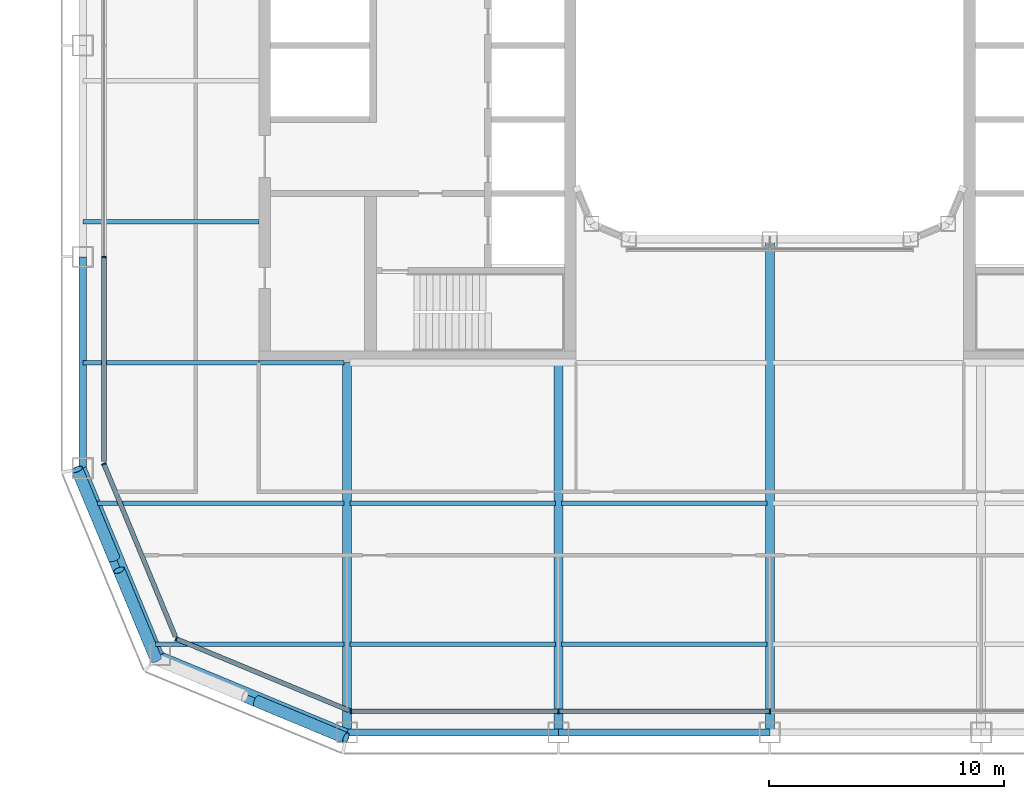
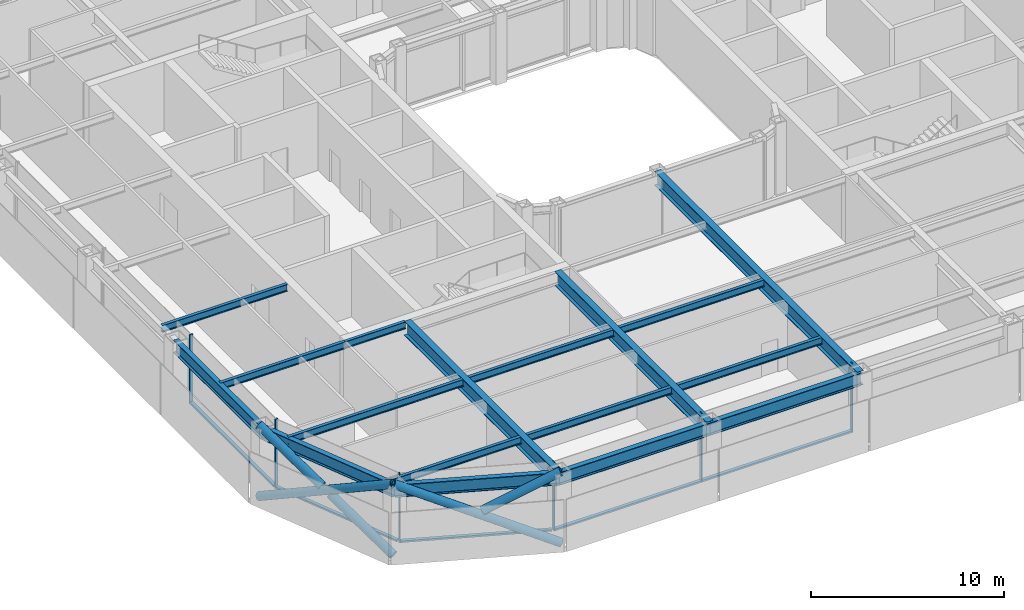
# One storey, part 2 of 23: 17 beams, 16 members, 4 elements without a shape of their own.
"""IFC4 building model written with IfcOpenShell, lengths in metres."""

from ifc_helpers import new_model, si_unit, direction, frame, origin, origin_2d, place, context, subcontext, project, spatial, rectangle, hollow_circle, i_section, extrude, material, layer, layer_set, material_profile, profile_set, type_object, element, aggregate, save


model = new_model("IFC4")

# Units and contexts
model_context = context("Model", 3, precision=1e-05, world=origin(), true_north=direction((0.0, 1.0)))
body_context = subcontext(model_context, "Body", "Model", "MODEL_VIEW")
ifc_project = project(units=[si_unit("LENGTHUNIT", "METRE"), si_unit("AREAUNIT", "SQUARE_METRE"), si_unit("VOLUMEUNIT", "CUBIC_METRE"), si_unit("PLANEANGLEUNIT", "RADIAN"), si_unit("MASSUNIT", "GRAM", prefix="KILO")], contexts=[model_context])

# Site, building, storey
site_placement = place(None, origin())
site = spatial("IfcSite", under=ifc_project, at=site_placement, CompositionType="ELEMENT")
building_placement = place(site_placement, origin())
building = spatial("IfcBuilding", under=site, at=building_placement, Name="Siwar Civic Tower", CompositionType="ELEMENT")
storey_placement = place(building_placement, frame((0.0, 0.0, 172.199951171875)))
storey = spatial("IfcBuildingStorey", under=building, at=storey_placement, Name="L37", CompositionType="ELEMENT", Elevation=172.199951171875)

# Curtain wall, members
ifc_material_1 = material(Name="Aluminium and glass", Category="aluminium")
ifc_layer_1 = layer(ifc_material_1, 0.199951171875)
ifc_layer_set_1 = layer_set([ifc_layer_1], Name="Aluminium and glass")
curtain_wall_type_1 = type_object("IfcCurtainWallType", Name="ENV-CW-B", PredefinedType="NOTDEFINED", material=ifc_layer_set_1)
curtain_wall_1_placement = place(storey_placement, origin())
curtain_wall_1 = element("IfcCurtainWall", 1, at=curtain_wall_1_placement, inside=storey, type_object=curtain_wall_type_1, Name="Curtain wall B S", PredefinedType="NOTDEFINED")
ifc_material_2 = material(Name="Aluminium 6063-T6", Category="aluminium")
ifc_material_profile_1 = material_profile(ifc_material_2, rectangle(XDim=0.199951171875, YDim=0.06494140625, at=origin_2d()), Name="AL 200x65")
ifc_profile_set_1 = profile_set([ifc_material_profile_1], Name="Aluminium 6063-T6")
member_type_1 = type_object("IfcMemberType", Name="ENV-MULLION-B", PredefinedType="MULLION", material=ifc_profile_set_1)
member_1_placement = place(storey_placement, frame((-17.821044921875, -28.35009765625, 0.0), z_axis=(0.0, 0.0, 1.0), x_axis=(0.0, 1.0, 0.0)))
member_1 = element("IfcMember", 2, at=member_1_placement, type_object=member_type_1, Name="Mullion B S 1", PredefinedType="MULLION", context=body_context, shape_type="SweptSolid", body=[
    extrude(rectangle(XDim=0.199951171875, YDim=0.06494140625, at=origin_2d()), origin(), (0.0, 0.0, 1.0), 4.35009765625),
])
member_2_placement = place(storey_placement, frame((-9.0, -28.35009765625, 0.0), z_axis=(0.0, 0.0, 1.0), x_axis=(0.0, 1.0, 0.0)))
member_2 = element("IfcMember", 3, at=member_2_placement, type_object=member_type_1, Name="Mullion B S 2", PredefinedType="MULLION", context=body_context, shape_type="SweptSolid", body=[
    extrude(rectangle(XDim=0.199951171875, YDim=0.06494140625, at=origin_2d()), origin(), (0.0, 0.0, 1.0), 4.35009765625),
])
member_3_placement = place(storey_placement, frame((0.0, -28.35009765625, 0.0), z_axis=(0.0, 0.0, 1.0), x_axis=(0.0, 1.0, 0.0)))
member_3 = element("IfcMember", 4, at=member_3_placement, type_object=member_type_1, Name="Mullion B S 3", PredefinedType="MULLION", context=body_context, shape_type="SweptSolid", body=[
    extrude(rectangle(XDim=0.199951171875, YDim=0.06494140625, at=origin_2d()), origin(), (0.0, 0.0, 1.0), 4.35009765625),
])

# Curtain wall, member
curtain_wall_2_placement = place(storey_placement, origin())
curtain_wall_2 = element("IfcCurtainWall", 5, at=curtain_wall_2_placement, inside=storey, type_object=curtain_wall_type_1, Name="Curtain wall B W", PredefinedType="NOTDEFINED")
member_4_placement = place(storey_placement, frame((-28.35009765625, -9.0, 0.0), z_axis=(0.0, 0.0, 1.0), x_axis=(1.0, 0.0, 0.0)))
member_4 = element("IfcMember", 6, at=member_4_placement, type_object=member_type_1, Name="Mullion B W 4", PredefinedType="MULLION", context=body_context, shape_type="SweptSolid", body=[
    extrude(rectangle(XDim=0.199951171875, YDim=0.06494140625, at=origin_2d()), origin(), (0.0, 0.0, 1.0), 4.35009765625),
])

ifc_material_3 = material(Name="Aluminium clad insulated panel", Category="aluminium")
ifc_layer_2 = layer(ifc_material_3, 0.199951171875)
ifc_layer_set_2 = layer_set([ifc_layer_2], Name="Aluminium clad insulated panel")
curtain_wall_type_2 = type_object("IfcCurtainWallType", Name="ENV-CW-BX", PredefinedType="NOTDEFINED", material=ifc_layer_set_2)
curtain_wall_3_placement = place(storey_placement, origin())
curtain_wall_3 = element("IfcCurtainWall", 7, at=curtain_wall_3_placement, inside=storey, type_object=curtain_wall_type_2, Name="Curtain wall B SW1", PredefinedType="NOTDEFINED")
member_5_placement = place(storey_placement, frame((-28.35009765625, -17.821044921875, 0.0), z_axis=(0.0, 0.0, 1.0), x_axis=(0.923879532511, 0.382683432365, 0.0)))
member_5 = element("IfcMember", 8, at=member_5_placement, type_object=member_type_1, Name="Mullion B SW1 1", PredefinedType="MULLION", context=body_context, shape_type="SweptSolid", body=[
    extrude(rectangle(XDim=0.199951171875, YDim=0.06494140625, at=origin_2d()), origin(), (0.0, 0.0, 1.0), 4.35009765625),
])

curtain_wall_4_placement = place(storey_placement, origin())
curtain_wall_4 = element("IfcCurtainWall", 9, at=curtain_wall_4_placement, inside=storey, type_object=curtain_wall_type_2, Name="Curtain wall B SW2", PredefinedType="NOTDEFINED")
member_6_placement = place(storey_placement, frame((-25.26611328125, -25.26611328125, 0.0), z_axis=(0.0, 0.0, 1.0), x_axis=(0.382683432365, 0.923879532511, 0.0)))
member_6 = element("IfcMember", 10, at=member_6_placement, type_object=member_type_1, Name="Mullion B SW2 1", PredefinedType="MULLION", context=body_context, shape_type="SweptSolid", body=[
    extrude(rectangle(XDim=0.199951171875, YDim=0.06494140625, at=origin_2d()), origin(), (0.0, 0.0, 1.0), 4.35009765625),
])

# Member
ifc_material_4 = material(Name="Aluminium 6063-T6", Category="aluminium")
ifc_material_profile_2 = material_profile(ifc_material_4, rectangle(XDim=0.199951171875, YDim=0.110107421875, at=origin_2d()), Name="AL 200x110")
ifc_profile_set_2 = profile_set([ifc_material_profile_2], Name="Aluminium 6063-T6")
member_type_2 = type_object("IfcMemberType", Name="ENV-TRANSOM-B", PredefinedType="USERDEFINED", material=ifc_profile_set_2)
member_7_placement = place(storey_placement, frame((-17.78857421875, -28.35009765625, 0.054931640625), z_axis=(1.0, 0.0, 0.0), x_axis=(0.0, 1.0, 0.0)))
member_7 = element("IfcMember", 11, at=member_7_placement, type_object=member_type_2, Name="Transom B S 1", ObjectType="TRANSOM", PredefinedType="USERDEFINED", context=body_context, shape_type="SweptSolid", body=[
    extrude(rectangle(XDim=0.199951171875, YDim=0.110107421875, at=origin_2d()), origin(), (0.0, 0.0, 1.0), 8.756103515625),
])

member_8_placement = place(storey_placement, frame((-8.967529296875, -28.35009765625, 0.054931640625), z_axis=(1.0, 0.0, 0.0), x_axis=(0.0, 1.0, 0.0)))
member_8 = element("IfcMember", 12, at=member_8_placement, type_object=member_type_2, Name="Transom B S 2", ObjectType="TRANSOM", PredefinedType="USERDEFINED", context=body_context, shape_type="SweptSolid", body=[
    extrude(rectangle(XDim=0.199951171875, YDim=0.110107421875, at=origin_2d()), origin(), (0.0, 0.0, 1.0), 8.93505859375),
])

aggregate(curtain_wall_1, [member_1, member_2, member_3, member_7, member_8])

member_9_placement = place(storey_placement, frame((-28.35009765625, -9.032470703125, 0.054931640625), z_axis=(0.0, -1.0, 0.0), x_axis=(1.0, 0.0, 0.0)))
member_9 = element("IfcMember", 13, at=member_9_placement, type_object=member_type_2, Name="Transom B W 4", ObjectType="TRANSOM", PredefinedType="USERDEFINED", context=body_context, shape_type="SweptSolid", body=[
    extrude(rectangle(XDim=0.199951171875, YDim=0.110107421875, at=origin_2d()), origin(), (0.0, 0.0, 1.0), 8.6748046875),
])

aggregate(curtain_wall_2, [member_4, member_9])

member_10_placement = place(storey_placement, frame((-28.337646484375, -17.85107421875, 0.054931640625), z_axis=(0.382699695651, -0.92387279587, 0.0), x_axis=(0.92387279587, 0.382699695651, 0.0)))
member_10 = element("IfcMember", 14, at=member_10_placement, type_object=member_type_2, Name="Transom B SW1 1", ObjectType="TRANSOM", PredefinedType="USERDEFINED", context=body_context, shape_type="SweptSolid", body=[
    extrude(rectangle(XDim=0.199951171875, YDim=0.110107421875, at=origin_2d()), origin(), (0.0, 0.0, 1.0), 7.912353515625),
])

aggregate(curtain_wall_3, [member_5, member_10])

member_11_placement = place(storey_placement, frame((-25.236083984375, -25.278564453125, 0.054931640625), z_axis=(0.923883705044, -0.382673358825, 0.0), x_axis=(0.382673358825, 0.923883705044, 0.0)))
member_11 = element("IfcMember", 15, at=member_11_placement, type_object=member_type_2, Name="Transom B SW2 1", ObjectType="TRANSOM", PredefinedType="USERDEFINED", context=body_context, shape_type="SweptSolid", body=[
    extrude(rectangle(XDim=0.199951171875, YDim=0.110107421875, at=origin_2d()), origin(), (0.0, 0.0, 1.0), 7.912353515625),
])

aggregate(curtain_wall_4, [member_6, member_11])

# Members
ifc_material_5 = material(Name="Steel S355", Category="steel")
ifc_material_profile_3 = material_profile(ifc_material_5, hollow_circle(Radius=0.25390625, WallThickness=0.02490234375, at=origin_2d()), Name="CHS508x25")
ifc_profile_set_3 = profile_set([ifc_material_profile_3], Name="Steel S355")
member_type_3 = type_object("IfcMemberType", Name="STR-BR-CHS508x25", PredefinedType="BRACE", material=ifc_profile_set_3)
member_12_placement = place(storey_placement, frame((-18.048828125, -29.4951171875, 0.0), z_axis=(-0.821142553604, 0.341671493852, 0.457149315816), x_axis=(-0.384163874976, -0.923264922524, 0.0)))
element("IfcMember", 16, at=member_12_placement, inside=storey, type_object=member_type_3, Name="L37/brc/BSW1-16-0-1", PredefinedType="BRACE", context=body_context, shape_type="SweptSolid", body=[
    extrude(hollow_circle(Radius=0.25390625, WallThickness=0.02490234375, at=origin_2d()), origin(), (0.0, 0.0, 1.0), 9.843505859375),
])
member_13_placement = place(storey_placement, frame((-21.837890625, -27.91845703125, 2.390625), z_axis=(0.821145902409, -0.34168558233, 0.457132770413), x_axis=(0.384176042158, 0.923259859753, 0.0)))
element("IfcMember", 17, at=member_13_placement, inside=storey, type_object=member_type_3, Name="L37/brc/BSW1-16-0-3", PredefinedType="BRACE", context=body_context, shape_type="SweptSolid", body=[
    extrude(hollow_circle(Radius=0.25390625, WallThickness=0.02490234375, at=origin_2d()), origin(), (0.0, 0.0, 1.0), 4.6142578125),
])
member_14_placement = place(storey_placement, frame((-29.4951171875, -18.048828125, 0.0), z_axis=(0.341671493852, -0.821142553604, 0.457149315816), x_axis=(0.923264922524, 0.384163874976, 0.0)))
element("IfcMember", 18, at=member_14_placement, inside=storey, type_object=member_type_3, Name="L37/brc/BSW1-16-0-0", PredefinedType="BRACE", context=body_context, shape_type="SweptSolid", body=[
    extrude(hollow_circle(Radius=0.25390625, WallThickness=0.02490234375, at=origin_2d()), origin(), (0.0, 0.0, 1.0), 9.843505859375),
])
member_15_placement = place(storey_placement, frame((-26.1318359375, -26.1318359375, 0.0), z_axis=(-0.341662474736, 0.821143275065, 0.457154760636), x_axis=(-0.923268638995, -0.384154943021, 0.0)))
element("IfcMember", 19, at=member_15_placement, inside=storey, type_object=member_type_3, Name="L37/brc/BSW1-16-0-4", PredefinedType="BRACE", context=body_context, shape_type="SweptSolid", body=[
    extrude(hollow_circle(Radius=0.25390625, WallThickness=0.02490234375, at=origin_2d()), origin(), (0.0, 0.0, 1.0), 4.61474609375),
])
member_16_placement = place(storey_placement, frame((-27.91845703125, -21.837890625, 2.390625), z_axis=(-0.34168558233, 0.821145902409, 0.457132770413), x_axis=(-0.923259859753, -0.384176042158, 0.0)))
element("IfcMember", 20, at=member_16_placement, inside=storey, type_object=member_type_3, Name="L37/brc/BSW1-16-0-5", PredefinedType="BRACE", context=body_context, shape_type="SweptSolid", body=[
    extrude(hollow_circle(Radius=0.25390625, WallThickness=0.02490234375, at=origin_2d()), origin(), (0.0, 0.0, 1.0), 4.6142578125),
])

# Beams
ifc_material_6 = material(Name="Steel S355", Category="steel")
ifc_material_profile_4 = material_profile(ifc_material_6, i_section(OverallWidth=0.18994140625, OverallDepth=0.449951171875, WebThickness=0.009521484375, FlangeThickness=0.0146484375, FilletRadius=0.02099609375, at=origin_2d()), Name="IPE450")
ifc_profile_set_4 = profile_set([ifc_material_profile_4], Name="Steel S355")
beam_type_1 = type_object("IfcBeamType", Name="STR-FB-IPE450", PredefinedType="JOIST", material=ifc_profile_set_4)
beam_1_placement = place(storey_placement, frame((-26.143310546875, -25.5, 4.125), z_axis=(1.0, 0.0, 0.0), x_axis=(0.0, 1.0, 0.0)))
element("IfcBeam", 21, at=beam_1_placement, inside=storey, type_object=beam_type_1, Name="L37/bm/F001", PredefinedType="JOIST", context=body_context, shape_type="SweptSolid", body=[
    extrude(i_section(OverallWidth=0.18994140625, OverallDepth=0.449951171875, WebThickness=0.009521484375, FlangeThickness=0.0146484375, FilletRadius=0.02099609375, at=origin_2d()), origin(), (0.0, 0.0, 1.0), 8.013427734375),
])
for number, where, z_axis, x_axis, name in (
    (22, (-17.8701171875, -25.5, 4.125), (1.0, 0.0, 0.0), (0.0, 1.0, 0.0), "L37/bm/F002"),
    (23, (-8.8701171875, -25.5, 4.125), (1.0, 0.0, 0.0), (0.0, 1.0, 0.0), "L37/bm/F003"),
):
    element("IfcBeam", number, at=place(storey_placement, frame(where, z_axis=z_axis, x_axis=x_axis)), inside=storey, type_object=beam_type_1, Name=name, PredefinedType="JOIST", context=body_context, shape_type="SweptSolid", body=[
        extrude(i_section(OverallWidth=0.18994140625, OverallDepth=0.449951171875, WebThickness=0.009521484375, FlangeThickness=0.0146484375, FilletRadius=0.02099609375, at=origin_2d()), origin(), (0.0, 0.0, 1.0), 8.740234375),
    ])
beam_2_placement = place(storey_placement, frame((-28.628662109375, -19.5, 4.125), z_axis=(1.0, 0.0, 0.0), x_axis=(0.0, 1.0, 0.0)))
element("IfcBeam", 24, at=beam_2_placement, inside=storey, type_object=beam_type_1, Name="L37/bm/F007", PredefinedType="JOIST", context=body_context, shape_type="SweptSolid", body=[
    extrude(i_section(OverallWidth=0.18994140625, OverallDepth=0.449951171875, WebThickness=0.009521484375, FlangeThickness=0.0146484375, FilletRadius=0.02099609375, at=origin_2d()), origin(), (0.0, 0.0, 1.0), 10.498779296875),
])
for number, where, z_axis, x_axis, name in (
    (25, (-17.8701171875, -19.5, 4.125), (1.0, 0.0, 0.0), (0.0, 1.0, 0.0), "L37/bm/F008"),
    (26, (-8.8701171875, -19.5, 4.125), (1.0, 0.0, 0.0), (0.0, 1.0, 0.0), "L37/bm/F009"),
):
    element("IfcBeam", number, at=place(storey_placement, frame(where, z_axis=z_axis, x_axis=x_axis)), inside=storey, type_object=beam_type_1, Name=name, PredefinedType="JOIST", context=body_context, shape_type="SweptSolid", body=[
        extrude(i_section(OverallWidth=0.18994140625, OverallDepth=0.449951171875, WebThickness=0.009521484375, FlangeThickness=0.0146484375, FilletRadius=0.02099609375, at=origin_2d()), origin(), (0.0, 0.0, 1.0), 8.740234375),
    ])
beam_3_placement = place(storey_placement, frame((-29.25, -13.5, 4.125), z_axis=(1.0, 0.0, 0.0), x_axis=(0.0, 1.0, 0.0)))
element("IfcBeam", 27, at=beam_3_placement, inside=storey, type_object=beam_type_1, Name="L37/bm/F013", PredefinedType="JOIST", context=body_context, shape_type="SweptSolid", body=[
    extrude(i_section(OverallWidth=0.18994140625, OverallDepth=0.449951171875, WebThickness=0.009521484375, FlangeThickness=0.0146484375, FilletRadius=0.02099609375, at=origin_2d()), origin(), (0.0, 0.0, 1.0), 7.5),
])
beam_4_placement = place(storey_placement, frame((-21.75, -13.5, 4.125), z_axis=(1.0, 0.0, 0.0), x_axis=(0.0, 1.0, 0.0)))
element("IfcBeam", 28, at=beam_4_placement, inside=storey, type_object=beam_type_1, Name="L37/bm/F014", PredefinedType="JOIST", context=body_context, shape_type="SweptSolid", body=[
    extrude(i_section(OverallWidth=0.18994140625, OverallDepth=0.449951171875, WebThickness=0.009521484375, FlangeThickness=0.0146484375, FilletRadius=0.02099609375, at=origin_2d()), origin(), (0.0, 0.0, 1.0), 3.6201171875),
])
beam_5_placement = place(storey_placement, frame((-29.25, -7.5, 4.125), z_axis=(1.0, 0.0, 0.0), x_axis=(0.0, 1.0, 0.0)))
element("IfcBeam", 29, at=beam_5_placement, inside=storey, type_object=beam_type_1, Name="L37/bm/F021", PredefinedType="JOIST", context=body_context, shape_type="SweptSolid", body=[
    extrude(i_section(OverallWidth=0.18994140625, OverallDepth=0.449951171875, WebThickness=0.009521484375, FlangeThickness=0.0146484375, FilletRadius=0.02099609375, at=origin_2d()), origin(), (0.0, 0.0, 1.0), 7.5),
])
ifc_material_7 = material(Name="Steel S355", Category="steel")
ifc_material_profile_5 = material_profile(ifc_material_7, i_section(OverallWidth=0.3798828125, OverallDepth=0.89990234375, WebThickness=0.01611328125, FlangeThickness=0.035888671875, at=origin_2d()), Name="PG900x380x16x36")
ifc_profile_set_5 = profile_set([ifc_material_profile_5], Name="Steel S355")
beam_type_2 = type_object("IfcBeamType", Name="STR-PG-PG900x380x16x36", PredefinedType="BEAM", material=ifc_profile_set_5)
for number, where, z_axis, x_axis, name in (
    (30, (-18.0, -29.25, 3.900146484375), (0.0, 1.0, 0.0), (-1.0, 0.0, 0.0), "L37/bm/G01"),
    (31, (-9.0, -29.25, 3.900146484375), (0.0, 1.0, 0.0), (-1.0, 0.0, 0.0), "L37/bm/G03"),
):
    element("IfcBeam", number, at=place(storey_placement, frame(where, z_axis=z_axis, x_axis=x_axis)), inside=storey, type_object=beam_type_2, Name=name, PredefinedType="BEAM", context=body_context, shape_type="SweptSolid", body=[
        extrude(i_section(OverallWidth=0.3798828125, OverallDepth=0.89990234375, WebThickness=0.01611328125, FlangeThickness=0.035888671875, at=origin_2d()), origin(), (0.0, 0.0, 1.0), 15.75),
    ])
beam_6_placement = place(storey_placement, frame((0.0, -29.25, 3.900146484375), z_axis=(0.0, 1.0, 0.0), x_axis=(-1.0, 0.0, 0.0)))
element("IfcBeam", 32, at=beam_6_placement, inside=storey, type_object=beam_type_2, Name="L37/bm/G05", PredefinedType="BEAM", context=body_context, shape_type="SweptSolid", body=[
    extrude(i_section(OverallWidth=0.3798828125, OverallDepth=0.89990234375, WebThickness=0.01611328125, FlangeThickness=0.035888671875, at=origin_2d()), origin(), (0.0, 0.0, 1.0), 21.0),
])
ifc_material_8 = material(Name="Steel S355", Category="steel")
ifc_material_profile_6 = material_profile(ifc_material_8, i_section(OverallWidth=0.300048828125, OverallDepth=0.800048828125, WebThickness=0.017578125, FlangeThickness=0.032958984375, FilletRadius=0.030029296875, at=origin_2d()), Name="HEB800")
ifc_profile_set_6 = profile_set([ifc_material_profile_6], Name="Steel S355")
beam_type_3 = type_object("IfcBeamType", Name="STR-SB-HEB800", PredefinedType="BEAM", material=ifc_profile_set_6)
for number, where, z_axis, x_axis, name in (
    (33, (-18.0, -29.25, 3.949951171875), (1.0, 0.0, 0.0), (0.0, 1.0, 0.0), "L37/bm/SS-0"),
    (34, (-9.0, -29.25, 3.949951171875), (1.0, 0.0, 0.0), (0.0, 1.0, 0.0), "L37/bm/SS-1"),
    (35, (-29.25, -9.0, 3.949951171875), (0.0, -1.0, 0.0), (1.0, 0.0, 0.0), "L37/bm/SW-3"),
):
    element("IfcBeam", number, at=place(storey_placement, frame(where, z_axis=z_axis, x_axis=x_axis)), inside=storey, type_object=beam_type_3, Name=name, PredefinedType="BEAM", context=body_context, shape_type="SweptSolid", body=[
        extrude(i_section(OverallWidth=0.300048828125, OverallDepth=0.800048828125, WebThickness=0.017578125, FlangeThickness=0.032958984375, FilletRadius=0.030029296875, at=origin_2d()), origin(), (0.0, 0.0, 1.0), 9.0),
    ])
for number, where, z_axis, x_axis, name in (
    (36, (-29.25, -18.0, 3.949951171875), (0.382699877515, -0.923872720536, 0.0), (0.923872720536, 0.382699877515, 0.0), "L37/bm/SSW1-0"),
    (37, (-25.954833984375, -25.954833984375, 3.949951171875), (0.923872720536, -0.382699877515, 0.0), (0.382699877515, 0.923872720536, 0.0), "L37/bm/SSW2-0"),
):
    element("IfcBeam", number, at=place(storey_placement, frame(where, z_axis=z_axis, x_axis=x_axis)), inside=storey, type_object=beam_type_3, Name=name, PredefinedType="BEAM", context=body_context, shape_type="SweptSolid", body=[
        extrude(i_section(OverallWidth=0.300048828125, OverallDepth=0.800048828125, WebThickness=0.017578125, FlangeThickness=0.032958984375, FilletRadius=0.030029296875, at=origin_2d()), origin(), (0.0, 0.0, 1.0), 8.6103515625),
    ])

save(model, "model.ifc")
